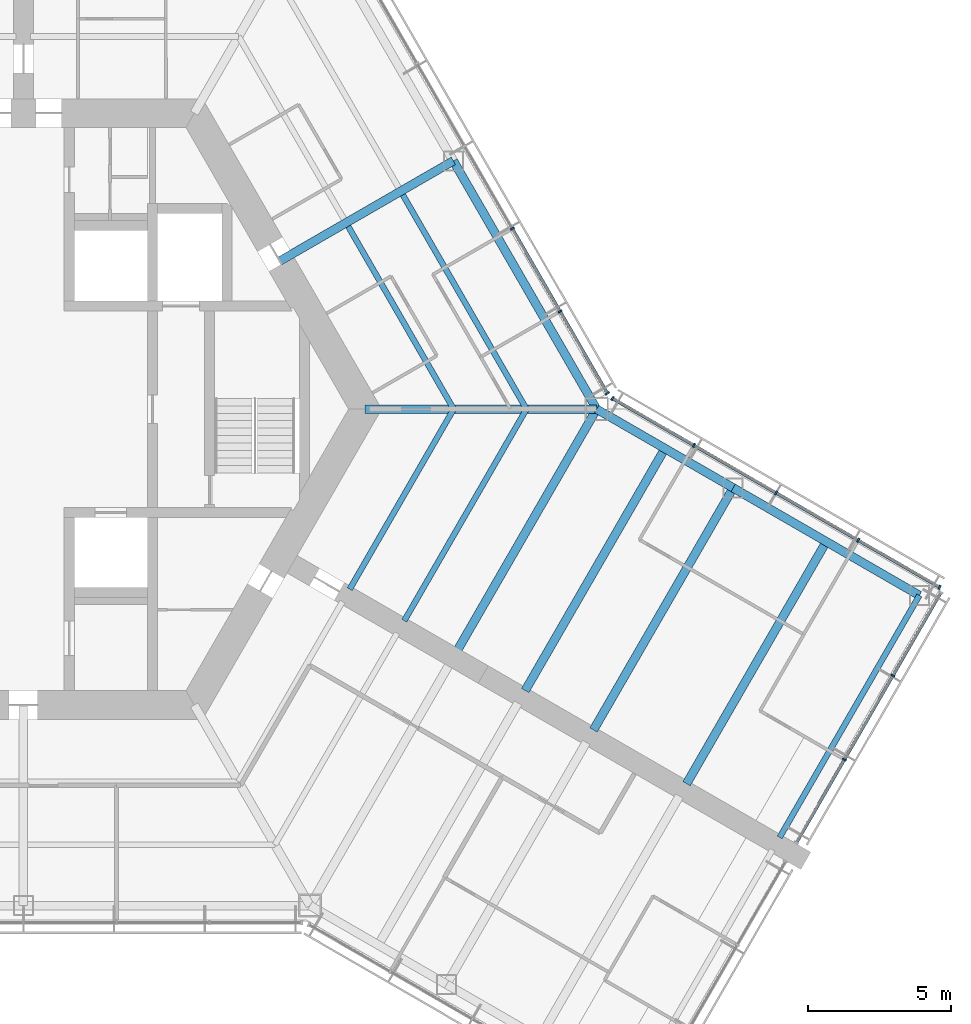
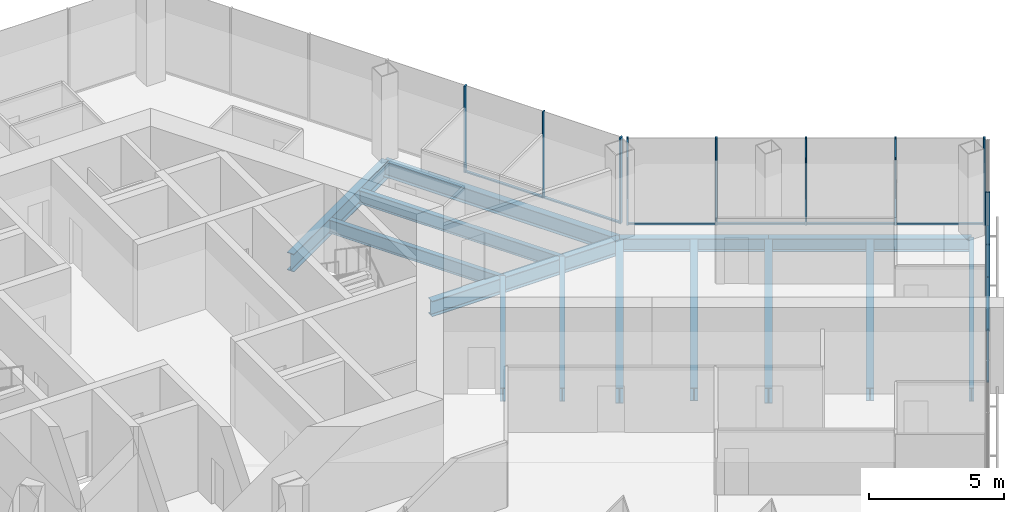
# One storey, part 6 of 18: 19 members, 14 beams, 3 elements without a shape of their own.
"""IFC4 building model written with IfcOpenShell, lengths in metres."""

from ifc_helpers import new_model, si_unit, direction, frame, origin, origin_2d, place, context, subcontext, project, spatial, rectangle, i_section, extrude, material, material_profile, profile_set, type_object, element, aggregate, save


model = new_model("IFC4")

# Units and contexts
model_context = context("Model", 3, precision=1e-05, world=origin(), true_north=direction((0.0, 1.0)))
body_context = subcontext(model_context, "Body", "Model", "MODEL_VIEW")
ifc_project = project(units=[si_unit("LENGTHUNIT", "METRE"), si_unit("AREAUNIT", "SQUARE_METRE"), si_unit("VOLUMEUNIT", "CUBIC_METRE"), si_unit("PLANEANGLEUNIT", "RADIAN"), si_unit("MASSUNIT", "GRAM", prefix="KILO")], contexts=[model_context])

# Site, building, storey
site_placement = place(None, origin())
site = spatial("IfcSite", under=ifc_project, at=site_placement, CompositionType="ELEMENT")
building_placement = place(site_placement, origin())
building = spatial("IfcBuilding", under=site, at=building_placement, Name="Kasaneha Research Tower", CompositionType="ELEMENT")
storey_placement = place(building_placement, frame((0.0, 0.0, 176.0)))
storey = spatial("IfcBuildingStorey", under=building, at=storey_placement, Name="L44", CompositionType="ELEMENT", Elevation=176.0)

# Beams
ifc_material_1 = material(Name="Steel SN490B", Category="steel")
ifc_material_profile_1 = material_profile(ifc_material_1, i_section(OverallWidth=0.199951171875, OverallDepth=0.60009765625, WebThickness=0.010986328125, FlangeThickness=0.01708984375, FilletRadius=0.012939453125, at=origin_2d()), Name="H-600x200x11x17")
ifc_profile_set_1 = profile_set([ifc_material_profile_1], Name="Steel SN490B")
beam_type_1 = type_object("IfcBeamType", Name="B1-3 secondary beam H-600x200x11x17", PredefinedType="JOIST", material=ifc_profile_set_1)
beam_1_placement = place(storey_placement, frame((15.010986328125, 0.0, -0.449951171875), z_axis=(-0.499994443168, 0.866028611999, 0.0), x_axis=(-0.866028611999, -0.499994443168, 0.0)))
element("IfcBeam", 1, at=beam_1_placement, inside=storey, type_object=beam_type_1, Name="Secondary beam RS030L1 L44", PredefinedType="JOIST", context=body_context, shape_type="SweptSolid", body=[
    extrude(i_section(OverallWidth=0.199951171875, OverallDepth=0.60009765625, WebThickness=0.010986328125, FlangeThickness=0.01708984375, FilletRadius=0.012939453125, at=origin_2d()), origin(), (0.0, 0.0, 1.0), 7.35546875),
])
beam_2_placement = place(storey_placement, frame((17.551513671875, 0.0, -0.449951171875), z_axis=(-0.5000050195, 0.866022505755, 0.0), x_axis=(-0.866022505755, -0.5000050195, 0.0)))
element("IfcBeam", 2, at=beam_2_placement, inside=storey, type_object=beam_type_1, Name="Secondary beam RS030L2 L44", PredefinedType="JOIST", context=body_context, shape_type="SweptSolid", body=[
    extrude(i_section(OverallWidth=0.199951171875, OverallDepth=0.60009765625, WebThickness=0.010986328125, FlangeThickness=0.01708984375, FilletRadius=0.012939453125, at=origin_2d()), origin(), (0.0, 0.0, 1.0), 8.6259765625),
])
beam_3_placement = place(storey_placement, frame((15.010986328125, 0.0, -0.449951171875), z_axis=(-0.499993340521, -0.866029248602, 0.0), x_axis=(0.866029248602, -0.499993340521, 0.0)))
element("IfcBeam", 3, at=beam_3_placement, inside=storey, type_object=beam_type_1, Name="Secondary beam RS330R1 L44", PredefinedType="JOIST", context=body_context, shape_type="SweptSolid", body=[
    extrude(i_section(OverallWidth=0.199951171875, OverallDepth=0.60009765625, WebThickness=0.010986328125, FlangeThickness=0.01708984375, FilletRadius=0.012939453125, at=origin_2d()), origin(), (0.0, 0.0, 1.0), 7.25537109375),
])
beam_4_placement = place(storey_placement, frame((17.551513671875, 0.0, -0.449951171875), z_axis=(-0.500004205306, -0.866022975836, 0.0), x_axis=(0.866022975836, -0.500004205306, 0.0)))
element("IfcBeam", 4, at=beam_4_placement, inside=storey, type_object=beam_type_1, Name="Secondary beam RS330R2 L44", PredefinedType="JOIST", context=body_context, shape_type="SweptSolid", body=[
    extrude(i_section(OverallWidth=0.199951171875, OverallDepth=0.60009765625, WebThickness=0.010986328125, FlangeThickness=0.01708984375, FilletRadius=0.012939453125, at=origin_2d()), origin(), (0.0, 0.0, 1.0), 8.52587890625),
])
ifc_material_2 = material(Name="Steel SN490B", Category="steel")
ifc_material_profile_2 = material_profile(ifc_material_2, i_section(OverallWidth=0.300048828125, OverallDepth=0.58203125, WebThickness=0.011962890625, FlangeThickness=0.01708984375, FilletRadius=0.012939453125, at=origin_2d()), Name="H-582x300x12x17")
ifc_profile_set_2 = profile_set([ifc_material_profile_2], Name="Steel SN490B")
beam_type_2 = type_object("IfcBeamType", Name="B2-3 secondary beam H-582x300x12x17", PredefinedType="JOIST", material=ifc_profile_set_2)
for number, where, z_axis, x_axis, name in (
    (5, (22.381591796875, -1.375, -0.44091796875), (-0.499995560238, -0.866027967067, 0.0), (0.866027967067, -0.499995560238, 0.0), "Secondary beam WBCN1 L44"),
    (6, (28.0107421875, -4.625, -0.44091796875), (-0.499995560238, -0.866027967067, 0.0), (0.866027967067, -0.499995560238, 0.0), "Secondary beam WBCN2 L44"),
):
    element("IfcBeam", number, at=place(storey_placement, frame(where, z_axis=z_axis, x_axis=x_axis)), inside=storey, type_object=beam_type_2, Name=name, PredefinedType="JOIST", context=body_context, shape_type="SweptSolid", body=[
        extrude(i_section(OverallWidth=0.300048828125, OverallDepth=0.58203125, WebThickness=0.011962890625, FlangeThickness=0.01708984375, FilletRadius=0.012939453125, at=origin_2d()), origin(), (0.0, 0.0, 1.0), 9.75),
    ])

# Curtain wall, members
ifc_material_3 = material(Name="Glass and aluminium", Category="aluminium")
curtain_wall_type = type_object("IfcCurtainWallType", Name="Mid-rise office curtain wall", PredefinedType="USERDEFINED", material=ifc_material_3)
curtain_wall_1_placement = place(storey_placement, origin())
curtain_wall_1 = element("IfcCurtainWall", 7, at=curtain_wall_1_placement, inside=storey, type_object=curtain_wall_type, Name="CW-O2 L44 run 04a", ObjectType="UNITISED CURTAIN WALL", PredefinedType="USERDEFINED")
ifc_material_4 = material(Name="Aluminium 6063-T6", Category="aluminium")
ifc_material_profile_3 = material_profile(ifc_material_4, rectangle(XDim=0.06005859375, YDim=0.14990234375, at=origin_2d()), Name="CW-O2 mullion 60x150")
ifc_profile_set_3 = profile_set([ifc_material_profile_3], Name="Aluminium 6063-T6")
member_type_1 = type_object("IfcMemberType", Name="CW-O2 mullion", PredefinedType="MULLION", material=ifc_profile_set_3)
member_1_placement = place(storey_placement, frame((28.64453125, -12.22705078125, 0.0), z_axis=(0.0, 0.0, 1.0), x_axis=(0.500000011442, 0.866025397178, 0.0)))
member_1 = element("IfcMember", 8, at=member_1_placement, type_object=member_type_1, Name="CW-O2 mullion 2", PredefinedType="MULLION", context=body_context, shape_type="SweptSolid", body=[
    extrude(rectangle(XDim=0.06005859375, YDim=0.14990234375, at=origin_2d()), origin(), (0.0, 0.0, 1.0), 3.89990234375),
])
member_2_placement = place(storey_placement, frame((30.336181640625, -9.297119140625, 0.0), z_axis=(0.0, 0.0, 1.0), x_axis=(0.500000011442, 0.866025397178, 0.0)))
member_2 = element("IfcMember", 9, at=member_2_placement, type_object=member_type_1, Name="CW-O2 mullion 3", PredefinedType="MULLION", context=body_context, shape_type="SweptSolid", body=[
    extrude(rectangle(XDim=0.06005859375, YDim=0.14990234375, at=origin_2d()), origin(), (0.0, 0.0, 1.0), 3.89990234375),
])

curtain_wall_2_placement = place(storey_placement, origin())
curtain_wall_2 = element("IfcCurtainWall", 10, at=curtain_wall_2_placement, inside=storey, type_object=curtain_wall_type, Name="CW-O2 L44 run 05a", ObjectType="UNITISED CURTAIN WALL", PredefinedType="USERDEFINED")
member_3_placement = place(storey_placement, frame((31.96533203125, -6.21533203125, 0.0), z_axis=(0.0, 0.0, 1.0), x_axis=(-0.866025411464, 0.499999986699, 0.0)))
member_3 = element("IfcMember", 11, at=member_3_placement, type_object=member_type_1, Name="CW-O2 mullion 1", PredefinedType="MULLION", context=body_context, shape_type="SweptSolid", body=[
    extrude(rectangle(XDim=0.06005859375, YDim=0.14990234375, at=origin_2d()), origin(), (0.0, 0.0, 1.0), 3.89990234375),
])
member_4_placement = place(storey_placement, frame((29.125, -4.575439453125, 0.0), z_axis=(0.0, 0.0, 1.0), x_axis=(-0.866025411464, 0.499999986699, 0.0)))
member_4 = element("IfcMember", 12, at=member_4_placement, type_object=member_type_1, Name="CW-O2 mullion 2", PredefinedType="MULLION", context=body_context, shape_type="SweptSolid", body=[
    extrude(rectangle(XDim=0.06005859375, YDim=0.14990234375, at=origin_2d()), origin(), (0.0, 0.0, 1.0), 3.89990234375),
])
member_5_placement = place(storey_placement, frame((26.258544921875, -2.920654296875, 0.0), z_axis=(0.0, 0.0, 1.0), x_axis=(-0.866025411464, 0.499999986699, 0.0)))
member_5 = element("IfcMember", 13, at=member_5_placement, type_object=member_type_1, Name="CW-O2 mullion 3", PredefinedType="MULLION", context=body_context, shape_type="SweptSolid", body=[
    extrude(rectangle(XDim=0.06005859375, YDim=0.14990234375, at=origin_2d()), origin(), (0.0, 0.0, 1.0), 3.89990234375),
])
member_6_placement = place(storey_placement, frame((23.39208984375, -1.265625, 0.0), z_axis=(0.0, 0.0, 1.0), x_axis=(-0.866025411464, 0.499999986699, 0.0)))
member_6 = element("IfcMember", 14, at=member_6_placement, type_object=member_type_1, Name="CW-O2 mullion 4", PredefinedType="MULLION", context=body_context, shape_type="SweptSolid", body=[
    extrude(rectangle(XDim=0.06005859375, YDim=0.14990234375, at=origin_2d()), origin(), (0.0, 0.0, 1.0), 3.89990234375),
])
member_7_placement = place(storey_placement, frame((20.5517578125, 0.374267578125, 0.0), z_axis=(0.0, 0.0, 1.0), x_axis=(-0.866025411464, 0.499999986699, 0.0)))
member_7 = element("IfcMember", 15, at=member_7_placement, type_object=member_type_1, Name="CW-O2 mullion 5", PredefinedType="MULLION", context=body_context, shape_type="SweptSolid", body=[
    extrude(rectangle(XDim=0.06005859375, YDim=0.14990234375, at=origin_2d()), origin(), (0.0, 0.0, 1.0), 3.89990234375),
])

curtain_wall_3_placement = place(storey_placement, origin())
curtain_wall_3 = element("IfcCurtainWall", 16, at=curtain_wall_3_placement, inside=storey, type_object=curtain_wall_type, Name="CW-O2 L44 run 06a", ObjectType="UNITISED CURTAIN WALL", PredefinedType="USERDEFINED")
member_8_placement = place(storey_placement, frame((20.374267578125, 0.5517578125, 0.0), z_axis=(0.0, 0.0, 1.0), x_axis=(-0.499999979232, 0.866025415775, 0.0)))
member_8 = element("IfcMember", 17, at=member_8_placement, type_object=member_type_1, Name="CW-O2 mullion 1", PredefinedType="MULLION", context=body_context, shape_type="SweptSolid", body=[
    extrude(rectangle(XDim=0.06005859375, YDim=0.14990234375, at=origin_2d()), origin(), (0.0, 0.0, 1.0), 3.89990234375),
])
member_9_placement = place(storey_placement, frame((18.723876953125, 3.410400390625, 0.0), z_axis=(0.0, 0.0, 1.0), x_axis=(-0.499999979232, 0.866025415775, 0.0)))
member_9 = element("IfcMember", 18, at=member_9_placement, type_object=member_type_1, Name="CW-O2 mullion 2", PredefinedType="MULLION", context=body_context, shape_type="SweptSolid", body=[
    extrude(rectangle(XDim=0.06005859375, YDim=0.14990234375, at=origin_2d()), origin(), (0.0, 0.0, 1.0), 3.89990234375),
])
member_10_placement = place(storey_placement, frame((17.058349609375, 6.295166015625, 0.0), z_axis=(0.0, 0.0, 1.0), x_axis=(-0.499999979232, 0.866025415775, 0.0)))
member_10 = element("IfcMember", 19, at=member_10_placement, type_object=member_type_1, Name="CW-O2 mullion 3", PredefinedType="MULLION", context=body_context, shape_type="SweptSolid", body=[
    extrude(rectangle(XDim=0.06005859375, YDim=0.14990234375, at=origin_2d()), origin(), (0.0, 0.0, 1.0), 3.89990234375),
])

# Member
ifc_material_5 = material(Name="Aluminium 6063-T6", Category="aluminium")
ifc_material_profile_4 = material_profile(ifc_material_5, rectangle(XDim=0.110107421875, YDim=0.06005859375, at=origin_2d()), Name="CW-O2 transom 110x60")
ifc_profile_set_4 = profile_set([ifc_material_profile_4], Name="Aluminium 6063-T6")
member_type_2 = type_object("IfcMemberType", Name="CW-O2 transom", PredefinedType="USERDEFINED", material=ifc_profile_set_4)
member_11_placement = place(storey_placement, frame((26.98291015625, -15.105224609375, 0.030029296875), z_axis=(0.500021914551, 0.866012751043, 0.0), x_axis=(-0.866012751043, 0.500021914551, 0.0)))
member_11 = element("IfcMember", 20, at=member_11_placement, type_object=member_type_2, Name="CW-O2 transom 1", ObjectType="TRANSOM", PredefinedType="USERDEFINED", context=body_context, shape_type="SweptSolid", body=[
    extrude(rectangle(XDim=0.110107421875, YDim=0.06005859375, at=origin_2d()), origin(), (0.0, 0.0, 1.0), 3.293212890625),
])

member_12_placement = place(storey_placement, frame((28.65966796875, -12.201171875, 0.030029296875), z_axis=(0.499978935311, 0.866037565146, 0.0), x_axis=(-0.866037565146, 0.499978935311, 0.0)))
member_12 = element("IfcMember", 21, at=member_12_placement, type_object=member_type_2, Name="CW-O2 transom 2", ObjectType="TRANSOM", PredefinedType="USERDEFINED", context=body_context, shape_type="SweptSolid", body=[
    extrude(rectangle(XDim=0.110107421875, YDim=0.06005859375, at=origin_2d()), origin(), (0.0, 0.0, 1.0), 3.323486328125),
])

member_13_placement = place(storey_placement, frame((30.351318359375, -9.27099609375, 0.030029296875), z_axis=(0.500021914551, 0.866012751043, 0.0), x_axis=(-0.866012751043, 0.500021914551, 0.0)))
member_13 = element("IfcMember", 22, at=member_13_placement, type_object=member_type_2, Name="CW-O2 transom 3", ObjectType="TRANSOM", PredefinedType="USERDEFINED", context=body_context, shape_type="SweptSolid", body=[
    extrude(rectangle(XDim=0.110107421875, YDim=0.06005859375, at=origin_2d()), origin(), (0.0, 0.0, 1.0), 3.293212890625),
])

aggregate(curtain_wall_1, [member_1, member_2, member_11, member_12, member_13])

member_14_placement = place(storey_placement, frame((31.939453125, -6.200439453125, 0.030029296875), z_axis=(-0.866041647767, 0.499971863542, 0.0), x_axis=(-0.499971863542, -0.866041647767, 0.0)))
member_14 = element("IfcMember", 23, at=member_14_placement, type_object=member_type_2, Name="CW-O2 transom 1", ObjectType="TRANSOM", PredefinedType="USERDEFINED", context=body_context, shape_type="SweptSolid", body=[
    extrude(rectangle(XDim=0.110107421875, YDim=0.06005859375, at=origin_2d()), origin(), (0.0, 0.0, 1.0), 3.219970703125),
])

member_15_placement = place(storey_placement, frame((29.098876953125, -4.560546875, 0.030029296875), z_axis=(-0.86599666273, 0.500049777664, 0.0), x_axis=(-0.500049777664, -0.86599666273, 0.0)))
member_15 = element("IfcMember", 24, at=member_15_placement, type_object=member_type_2, Name="CW-O2 transom 2", ObjectType="TRANSOM", PredefinedType="USERDEFINED", context=body_context, shape_type="SweptSolid", body=[
    extrude(rectangle(XDim=0.110107421875, YDim=0.06005859375, at=origin_2d()), origin(), (0.0, 0.0, 1.0), 3.249755859375),
])

member_16_placement = place(storey_placement, frame((26.232666015625, -2.905517578125, 0.030029296875), z_axis=(-0.86604797581, 0.499960902066, 0.0), x_axis=(-0.499960902066, -0.86604797581, 0.0)))
member_16 = element("IfcMember", 25, at=member_16_placement, type_object=member_type_2, Name="CW-O2 transom 3", ObjectType="TRANSOM", PredefinedType="USERDEFINED", context=body_context, shape_type="SweptSolid", body=[
    extrude(rectangle(XDim=0.110107421875, YDim=0.06005859375, at=origin_2d()), origin(), (0.0, 0.0, 1.0), 3.249755859375),
])

member_17_placement = place(storey_placement, frame((23.3662109375, -1.250732421875, 0.030029296875), z_axis=(-0.866022692473, 0.500004696101, 0.0), x_axis=(-0.500004696101, -0.866022692473, 0.0)))
member_17 = element("IfcMember", 26, at=member_17_placement, type_object=member_type_2, Name="CW-O2 transom 4", ObjectType="TRANSOM", PredefinedType="USERDEFINED", context=body_context, shape_type="SweptSolid", body=[
    extrude(rectangle(XDim=0.110107421875, YDim=0.06005859375, at=origin_2d()), origin(), (0.0, 0.0, 1.0), 3.2197265625),
])

aggregate(curtain_wall_2, [member_3, member_4, member_5, member_6, member_7, member_14, member_15, member_16, member_17])

member_18_placement = place(storey_placement, frame((20.359130859375, 0.577880859375, 0.030029296875), z_axis=(-0.499987643696, 0.866032537582, 0.0), x_axis=(-0.866032537582, -0.499987643696, 0.0)))
member_18 = element("IfcMember", 27, at=member_18_placement, type_object=member_type_2, Name="CW-O2 transom 1", ObjectType="TRANSOM", PredefinedType="USERDEFINED", context=body_context, shape_type="SweptSolid", body=[
    extrude(rectangle(XDim=0.110107421875, YDim=0.06005859375, at=origin_2d()), origin(), (0.0, 0.0, 1.0), 3.24072265625),
])

member_19_placement = place(storey_placement, frame((18.708740234375, 3.4365234375, 0.030029296875), z_axis=(-0.500000270186, 0.866025247793, 0.0), x_axis=(-0.866025247793, -0.500000270186, 0.0)))
member_19 = element("IfcMember", 28, at=member_19_placement, type_object=member_type_2, Name="CW-O2 transom 2", ObjectType="TRANSOM", PredefinedType="USERDEFINED", context=body_context, shape_type="SweptSolid", body=[
    extrude(rectangle(XDim=0.110107421875, YDim=0.06005859375, at=origin_2d()), origin(), (0.0, 0.0, 1.0), 3.27099609375),
])

aggregate(curtain_wall_3, [member_8, member_9, member_10, member_18, member_19])

# Beams
ifc_material_6 = material(Name="Steel SN490B", Category="steel")
ifc_material_profile_5 = material_profile(ifc_material_6, i_section(OverallWidth=0.300048828125, OverallDepth=0.699951171875, WebThickness=0.012939453125, FlangeThickness=0.02392578125, FilletRadius=0.01806640625, at=origin_2d()), Name="H-700x300x13x24")
ifc_profile_set_5 = profile_set([ifc_material_profile_5], Name="Steel SN490B")
beam_type_3 = type_object("IfcBeamType", Name="G1-3 radial girder H-700x300x13x24", PredefinedType="BEAM", material=ifc_profile_set_5)
beam_5_placement = place(storey_placement, frame((11.92236328125, 0.0, -0.5), z_axis=(1.0, 0.0, 0.0), x_axis=(0.0, 1.0, 0.0)))
element("IfcBeam", 29, at=beam_5_placement, inside=storey, type_object=beam_type_3, Name="Radial girder RV000 L44", PredefinedType="BEAM", context=body_context, shape_type="SweptSolid", body=[
    extrude(i_section(OverallWidth=0.300048828125, OverallDepth=0.699951171875, WebThickness=0.012939453125, FlangeThickness=0.02392578125, FilletRadius=0.01806640625, at=origin_2d()), origin(), (0.0, 0.0, 1.0), 8.07763671875),
])
ifc_material_7 = material(Name="Steel SN490B", Category="steel")
ifc_material_profile_6 = material_profile(ifc_material_7, i_section(OverallWidth=0.300048828125, OverallDepth=0.800048828125, WebThickness=0.013916015625, FlangeThickness=0.02587890625, FilletRadius=0.01806640625, at=origin_2d()), Name="H-800x300x14x26")
ifc_profile_set_6 = profile_set([ifc_material_profile_6], Name="Steel SN490B")
beam_type_4 = type_object("IfcBeamType", Name="G2-3 radial girder H-800x300x14x26", PredefinedType="BEAM", material=ifc_profile_set_6)
beam_6_placement = place(storey_placement, frame((8.941650390625, 5.16259765625, -0.550048828125), z_axis=(0.866039713508, 0.499975214012, 0.0), x_axis=(-0.499975214012, 0.866039713508, 0.0)))
element("IfcBeam", 30, at=beam_6_placement, inside=storey, type_object=beam_type_4, Name="Radial girder RM030 L44", PredefinedType="BEAM", context=body_context, shape_type="SweptSolid", body=[
    extrude(i_section(OverallWidth=0.300048828125, OverallDepth=0.800048828125, WebThickness=0.013916015625, FlangeThickness=0.02587890625, FilletRadius=0.01806640625, at=origin_2d()), origin(), (0.0, 0.0, 1.0), 6.995361328125),
])
ifc_material_8 = material(Name="Steel SN490B", Category="steel")
ifc_material_profile_7 = material_profile(ifc_material_8, i_section(OverallWidth=0.300048828125, OverallDepth=0.69189453125, WebThickness=0.012939453125, FlangeThickness=0.02001953125, FilletRadius=0.01806640625, at=origin_2d()), Name="H-692x300x13x20")
ifc_profile_set_7 = profile_set([ifc_material_profile_7], Name="Steel SN490B")
beam_type_5 = type_object("IfcBeamType", Name="G3-3 plate edge girder H-692x300x13x20", PredefinedType="BEAM", material=ifc_profile_set_7)
beam_7_placement = place(storey_placement, frame((20.0, 0.0, -0.49609375), z_axis=(-0.499995560238, -0.866027967067, 0.0), x_axis=(0.866027967067, -0.499995560238, 0.0)))
element("IfcBeam", 31, at=beam_7_placement, inside=storey, type_object=beam_type_5, Name="Plate edge girder PECN L44", PredefinedType="BEAM", context=body_context, shape_type="SweptSolid", body=[
    extrude(i_section(OverallWidth=0.300048828125, OverallDepth=0.69189453125, WebThickness=0.012939453125, FlangeThickness=0.02001953125, FilletRadius=0.01806640625, at=origin_2d()), origin(), (0.0, 0.0, 1.0), 9.75),
])
ifc_material_9 = material(Name="Steel SN490B", Category="steel")
ifc_material_profile_8 = material_profile(ifc_material_9, i_section(OverallWidth=0.300048828125, OverallDepth=0.699951171875, WebThickness=0.012939453125, FlangeThickness=0.02392578125, FilletRadius=0.01806640625, at=origin_2d()), Name="H-700x300x13x24")
ifc_profile_set_8 = profile_set([ifc_material_profile_8], Name="Steel SN490B")
beam_type_6 = type_object("IfcBeamType", Name="G4-3 wing girder H-700x300x13x24", PredefinedType="BEAM", material=ifc_profile_set_8)
beam_8_placement = place(storey_placement, frame((24.76318359375, -2.75, -0.5), z_axis=(-0.499995560238, -0.866027967067, 0.0), x_axis=(0.866027967067, -0.499995560238, 0.0)))
element("IfcBeam", 32, at=beam_8_placement, inside=storey, type_object=beam_type_6, Name="Wing girder WGCN L44", PredefinedType="BEAM", context=body_context, shape_type="SweptSolid", body=[
    extrude(i_section(OverallWidth=0.300048828125, OverallDepth=0.699951171875, WebThickness=0.012939453125, FlangeThickness=0.02392578125, FilletRadius=0.01806640625, at=origin_2d()), origin(), (0.0, 0.0, 1.0), 9.75),
])
ifc_material_10 = material(Name="Steel SN490B", Category="steel")
ifc_material_profile_9 = material_profile(ifc_material_10, i_section(OverallWidth=0.300048828125, OverallDepth=0.69189453125, WebThickness=0.012939453125, FlangeThickness=0.02001953125, FilletRadius=0.01806640625, at=origin_2d()), Name="H-692x300x13x20")
ifc_profile_set_9 = profile_set([ifc_material_profile_9], Name="Steel SN490B")
beam_type_7 = type_object("IfcBeamType", Name="SB1-3 spandrel beam H-692x300x13x20", PredefinedType="SPANDREL", material=ifc_profile_set_9)
beam_9_placement = place(storey_placement, frame((20.0, 0.0, -0.49609375), z_axis=(-0.500004234368, 0.866022959057, 0.0), x_axis=(-0.866022959057, -0.500004234368, 0.0)))
element("IfcBeam", 33, at=beam_9_placement, inside=storey, type_object=beam_type_7, Name="Spandrel beam SR030L L44", PredefinedType="SPANDREL", context=body_context, shape_type="SweptSolid", body=[
    extrude(i_section(OverallWidth=0.300048828125, OverallDepth=0.69189453125, WebThickness=0.012939453125, FlangeThickness=0.02001953125, FilletRadius=0.01806640625, at=origin_2d()), origin(), (0.0, 0.0, 1.0), 10.0),
])
ifc_material_11 = material(Name="Steel SN490B", Category="steel")
ifc_material_profile_10 = material_profile(ifc_material_11, i_section(OverallWidth=0.300048828125, OverallDepth=0.58203125, WebThickness=0.011962890625, FlangeThickness=0.01708984375, FilletRadius=0.012939453125, at=origin_2d()), Name="H-582x300x12x17")
ifc_profile_set_10 = profile_set([ifc_material_profile_10], Name="Steel SN490B")
beam_type_8 = type_object("IfcBeamType", Name="SB2-3 spandrel beam H-582x300x12x17", PredefinedType="SPANDREL", material=ifc_profile_set_10)
beam_10_placement = place(storey_placement, frame((20.0, 0.0, -0.44091796875), z_axis=(0.866027397988, -0.499996545922, 0.0), x_axis=(0.499996545922, 0.866027397988, 0.0)))
element("IfcBeam", 34, at=beam_10_placement, inside=storey, type_object=beam_type_8, Name="Spandrel beam WSCN1 L44", PredefinedType="SPANDREL", context=body_context, shape_type="SweptSolid", body=[
    extrude(i_section(OverallWidth=0.300048828125, OverallDepth=0.58203125, WebThickness=0.011962890625, FlangeThickness=0.01708984375, FilletRadius=0.012939453125, at=origin_2d()), origin(), (0.0, 0.0, 1.0), 5.5),
])
beam_11_placement = place(storey_placement, frame((24.76318359375, -2.75, -0.44091796875), z_axis=(0.866022959057, -0.500004234368, 0.0), x_axis=(0.500004234368, 0.866022959057, 0.0)))
element("IfcBeam", 35, at=beam_11_placement, inside=storey, type_object=beam_type_8, Name="Spandrel beam WSCN2 L44", PredefinedType="SPANDREL", context=body_context, shape_type="SweptSolid", body=[
    extrude(i_section(OverallWidth=0.300048828125, OverallDepth=0.58203125, WebThickness=0.011962890625, FlangeThickness=0.01708984375, FilletRadius=0.012939453125, at=origin_2d()), origin(), (0.0, 0.0, 1.0), 7.5),
])
ifc_material_12 = material(Name="Steel SN490B", Category="steel")
ifc_material_profile_11 = material_profile(ifc_material_12, i_section(OverallWidth=0.199951171875, OverallDepth=0.60009765625, WebThickness=0.010986328125, FlangeThickness=0.01708984375, FilletRadius=0.012939453125, at=origin_2d()), Name="H-600x200x11x17")
ifc_profile_set_11 = profile_set([ifc_material_profile_11], Name="Steel SN490B")
beam_type_9 = type_object("IfcBeamType", Name="SB3-3 spandrel beam H-600x200x11x17", PredefinedType="SPANDREL", material=ifc_profile_set_11)
beam_12_placement = place(storey_placement, frame((31.25830078125, -6.5, -0.449951171875), z_axis=(-0.499995560238, -0.866027967067, 0.0), x_axis=(0.866027967067, -0.499995560238, 0.0)))
element("IfcBeam", 36, at=beam_12_placement, inside=storey, type_object=beam_type_9, Name="Spandrel beam WTCN L44", PredefinedType="SPANDREL", context=body_context, shape_type="SweptSolid", body=[
    extrude(i_section(OverallWidth=0.199951171875, OverallDepth=0.60009765625, WebThickness=0.010986328125, FlangeThickness=0.01708984375, FilletRadius=0.012939453125, at=origin_2d()), origin(), (0.0, 0.0, 1.0), 9.75),
])

save(model, "model.ifc")
